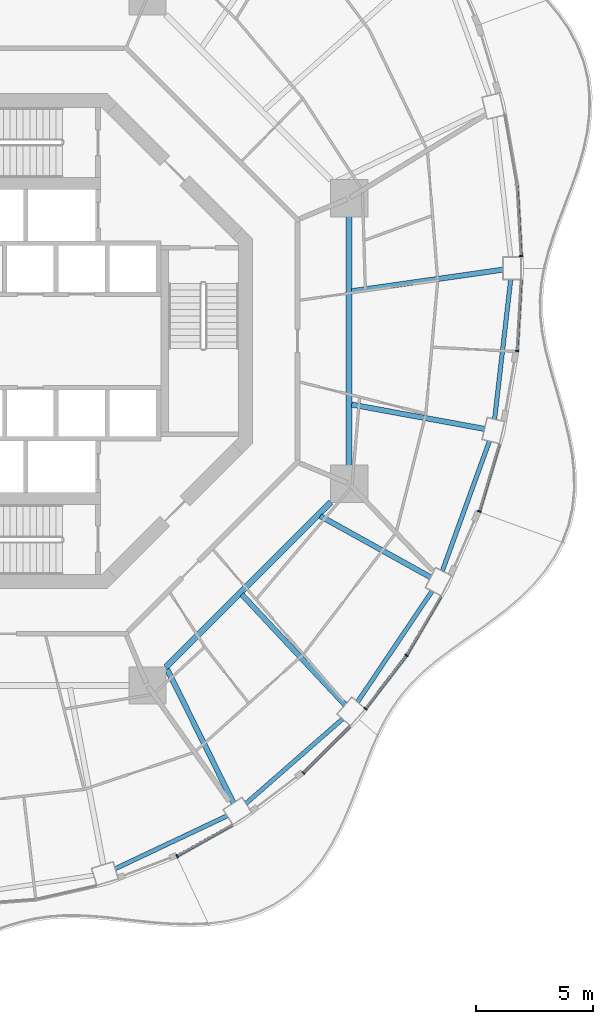
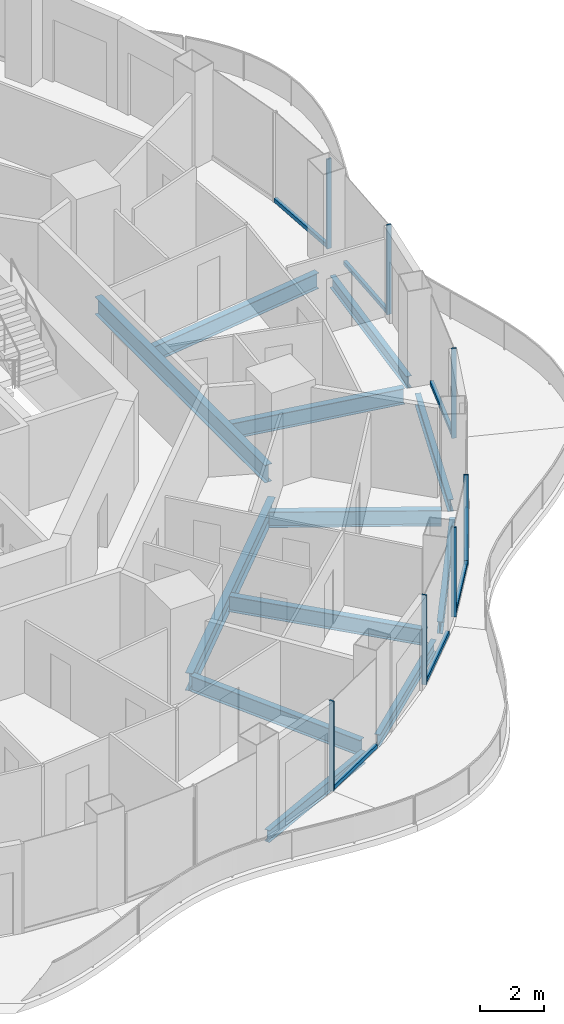
# One storey, part 4 of 18: 14 members, 12 beams, 7 elements without a shape of their own.
"""IFC4 building model written with IfcOpenShell, lengths in metres."""

import ifcopenshell
import ifcopenshell.guid

model = None  # the IFC model being written
_history = None  # IfcOwnerHistory: only IFC2X3 demands one
_inside = {}  # id of a spatial element -> (the spatial element, [elements in it])
_under = {}  # id of a project, library or spatial element -> (it, [spatial elements below it])
_declared = {}  # id of a project -> (the project, [libraries it declares])
_typed = {}  # id of a type object -> (the type object, [elements of that type])
_made_of = {}  # id of a material, layer set ... -> (it, [elements and type objects made of it])


def new_model(schema):
    """Start an empty IFC model of exactly this schema.

    Asked for "IFC4X3", IfcOpenShell would pick the latest addendum, in which some entities
    have other attributes; the version numbers below select the first issue.
    IFC2X3 requires an IfcOwnerHistory on every rooted entity: one is made here for all.
    """
    global model, _history
    if schema == "IFC4X3":
        model = ifcopenshell.file(schema_version=(4, 3, 0, 0))
    else:
        model = ifcopenshell.file(schema=schema)
    _inside.clear()
    _under.clear()
    _declared.clear()
    _typed.clear()
    _made_of.clear()
    _history = None
    if model.schema == "IFC2X3":
        org = make("IfcOrganization", Name="unknown")
        user = make(
            "IfcPersonAndOrganization",
            ThePerson=make("IfcPerson", FamilyName="unknown"),
            TheOrganization=org,
        )
        app = make(
            "IfcApplication",
            ApplicationDeveloper=org,
            Version="unknown",
            ApplicationFullName="unknown",
            ApplicationIdentifier="unknown",
        )
        _history = make(
            "IfcOwnerHistory",
            OwningUser=user,
            OwningApplication=app,
            ChangeAction="ADDED",
            CreationDate=0,
        )
    return model


def make(cls, **values):
    """One entity of the class cls with the attributes given. An attribute that is None is left unset."""
    return model.create_entity(
        cls, **{name: value for name, value in values.items() if value is not None}
    )


def rooted(cls, **values):
    """An entity with a GlobalId (a new one), such as an element, a storey or a relation."""
    return make(cls, GlobalId=ifcopenshell.guid.new(), OwnerHistory=_history, **values)


def si_unit(unit_type, name, prefix=None):
    """IfcSIUnit, for example si_unit("LENGTHUNIT", "METRE", prefix="MILLI")."""
    return make("IfcSIUnit", UnitType=unit_type, Prefix=prefix, Name=name)


def assignment(units):
    """IfcUnitAssignment: the units of a project."""
    return None if units is None else make("IfcUnitAssignment", Units=units)


def point(xyz):
    """IfcCartesianPoint."""
    return None if xyz is None else make("IfcCartesianPoint", Coordinates=xyz)


def direction(xyz):
    """IfcDirection."""
    return None if xyz is None else make("IfcDirection", DirectionRatios=xyz)


def frame(location, z_axis=None, x_axis=None):
    """IfcAxis2Placement3D, a coordinate frame: its origin and axes. An axis left out is left unset."""
    return make(
        "IfcAxis2Placement3D",
        Location=point(location),
        Axis=direction(z_axis),
        RefDirection=direction(x_axis),
    )


def frame_2d(location, x_axis=None):
    """IfcAxis2Placement2D, a coordinate frame in the plane: its origin and x axis."""
    return make(
        "IfcAxis2Placement2D", Location=point(location), RefDirection=direction(x_axis)
    )


def origin():
    """The frame at (0, 0, 0) with its axes left unset."""
    return frame((0.0, 0.0, 0.0))


def origin_2d():
    """The frame at (0, 0) in the plane with its x axis left unset."""
    return frame_2d((0.0, 0.0))


def place(relative_to, where):
    """IfcLocalPlacement: puts the frame where relative to a parent placement (None: the world)."""
    return make(
        "IfcLocalPlacement", PlacementRelTo=relative_to, RelativePlacement=where
    )


def context(
    kind, dimensions, precision=None, world=None, true_north=None, identifier=None
):
    """IfcGeometricRepresentationContext, for example the 3D "Model" context."""
    return make(
        "IfcGeometricRepresentationContext",
        ContextIdentifier=identifier,
        ContextType=kind,
        CoordinateSpaceDimension=dimensions,
        Precision=precision,
        WorldCoordinateSystem=world,
        TrueNorth=true_north,
    )


def subcontext(parent, identifier, kind, view, scale=None):
    """IfcGeometricRepresentationSubContext, for example "Body" below "Model"."""
    return make(
        "IfcGeometricRepresentationSubContext",
        ContextIdentifier=identifier,
        ContextType=kind,
        ParentContext=parent,
        TargetScale=scale,
        TargetView=view,
    )


def project(units=None, contexts=None):
    """IfcProject with its units and contexts."""
    return rooted(
        "IfcProject",
        Name="project",
        RepresentationContexts=contexts,
        UnitsInContext=assignment(units),
    )


def spatial(cls, under=None, at=None, **own):
    """A site, building, storey or space (cls), placed at a placement, below another one or the project."""
    s = rooted(cls, ObjectPlacement=at, **own)
    if under is not None:
        _under.setdefault(under.id(), (under, []))[1].append(s)
    return s


def profile(cls, at=None, kind="AREA", **sizes):
    """A parametric profile (cls). Its sizes go by their IFC names, for example OverallWidth=200.0."""
    return make(cls, ProfileType=kind, Position=at, **sizes)


def rectangle(**sizes):
    """IfcRectangleProfileDef."""
    return profile("IfcRectangleProfileDef", **sizes)


def i_section(**sizes):
    """IfcIShapeProfileDef."""
    return profile("IfcIShapeProfileDef", **sizes)


def extrude(swept, where, along, depth):
    """IfcExtrudedAreaSolid: the profile swept, set in the frame where, extruded along a direction by depth."""
    return make(
        "IfcExtrudedAreaSolid",
        SweptArea=swept,
        Position=where,
        ExtrudedDirection=direction(along),
        Depth=depth,
    )


def shape(context_of_items, identifier, shape_type, items):
    """IfcShapeRepresentation: the items that make up one representation, for example the "Body"."""
    return make(
        "IfcShapeRepresentation",
        ContextOfItems=context_of_items,
        RepresentationIdentifier=identifier,
        RepresentationType=shape_type,
        Items=items,
    )


def material(Name=None, Category=None):
    """IfcMaterial."""
    return make("IfcMaterial", Name=Name, Category=Category)


def layer(
    of_material, thickness, ventilated=None, Name=None, Category=None, Priority=None
):
    """IfcMaterialLayer: one layer of a wall or slab, of a material (None: an air gap)."""
    return make(
        "IfcMaterialLayer",
        Material=of_material,
        LayerThickness=thickness,
        IsVentilated=ventilated,
        Name=Name,
        Category=Category,
        Priority=Priority,
    )


def layer_set(layers, Name=None):
    """IfcMaterialLayerSet."""
    return make("IfcMaterialLayerSet", MaterialLayers=layers, LayerSetName=Name)


def material_profile(
    of_material, cross_section, Name=None, Category=None, Priority=None
):
    """IfcMaterialProfile: a cross section and its material."""
    return make(
        "IfcMaterialProfile",
        Name=Name,
        Material=of_material,
        Profile=cross_section,
        Priority=Priority,
        Category=Category,
    )


def profile_set(profiles, Name=None, composite=None):
    """IfcMaterialProfileSet."""
    return make(
        "IfcMaterialProfileSet",
        Name=Name,
        MaterialProfiles=profiles,
        CompositeProfile=composite,
    )


def made_of(thing, what):
    """Note that an element or type object is made of a material, layer set ...; save() writes the relation."""
    if what is not None:
        _made_of.setdefault(what.id(), (what, []))[1].append(thing)
    return thing


def type_object(cls, material=None, **own):
    """A type object (cls), such as IfcWallType, which elements share."""
    return made_of(rooted(cls, **own), material)


def element(
    cls,
    number,
    at=None,
    inside=None,
    cuts=None,
    type_object=None,
    material=None,
    context=None,
    identifier="Body",
    shape_type=None,
    held_by="IfcProductDefinitionShape",
    body=None,
    shapes=None,
    **own,
):
    """One element of the class cls, such as IfcWall. Its Tag is "e" and its number.

    at: its placement. inside: the storey or other place that contains it. cuts: it is an
    opening in that element (IfcRelVoidsElement). A single representation is given by context,
    identifier, shape_type and body (its items); several are given by shapes. held_by: the class
    of the entity that holds the representations. save() writes the other relations.
    """
    e = rooted(cls, Tag="e%d" % number, ObjectPlacement=at, **own)
    if body is not None:
        shapes = [shape(context, identifier, shape_type, body)]
    if shapes is not None:
        e.Representation = make(held_by, Representations=shapes)
    if inside is not None:
        _inside.setdefault(inside.id(), (inside, []))[1].append(e)
    if cuts is not None:
        rooted(
            "IfcRelVoidsElement", RelatingBuildingElement=cuts, RelatedOpeningElement=e
        )
    if type_object is not None:
        _typed.setdefault(type_object.id(), (type_object, []))[1].append(e)
    return made_of(e, material)


def aggregate(whole, parts):
    """IfcRelAggregates: a whole, such as a stair, and the parts it consists of."""
    return rooted("IfcRelAggregates", RelatingObject=whole, RelatedObjects=parts)


def save(model, path):
    """Write the relations noted so far, then the file.

    IfcRelAggregates (storeys below a building ...), IfcRelContainedInSpatialStructure (elements
    in a storey), IfcRelDefinesByType, IfcRelAssociatesMaterial and IfcRelDeclares: one each for
    every whole, place, type object, material and project.
    """
    for whole, parts in _under.values():
        aggregate(whole, parts)
    for where, things in _inside.values():
        rooted(
            "IfcRelContainedInSpatialStructure",
            RelatedElements=things,
            RelatingStructure=where,
        )
    for kind, things in _typed.values():
        rooted("IfcRelDefinesByType", RelatedObjects=things, RelatingType=kind)
    for what, things in _made_of.values():
        rooted("IfcRelAssociatesMaterial", RelatedObjects=things, RelatingMaterial=what)
    for by, libraries in _declared.values():
        rooted("IfcRelDeclares", RelatingContext=by, RelatedDefinitions=libraries)
    model.write(path)


model = new_model("IFC4")

# Units and contexts
model_context = context("Model", 3, precision=1e-05, world=origin(), true_north=direction((0.0, 1.0)))
body_context = subcontext(model_context, "Body", "Model", "MODEL_VIEW")
ifc_project = project(units=[si_unit("LENGTHUNIT", "METRE"), si_unit("AREAUNIT", "SQUARE_METRE"), si_unit("VOLUMEUNIT", "CUBIC_METRE"), si_unit("PLANEANGLEUNIT", "RADIAN"), si_unit("MASSUNIT", "GRAM", prefix="KILO")], contexts=[model_context])

# Site, building, storey
site_placement = place(None, origin())
site = spatial("IfcSite", under=ifc_project, at=site_placement, CompositionType="ELEMENT")
building_placement = place(site_placement, origin())
building = spatial("IfcBuilding", under=site, at=building_placement, Name="Nagisa Residences", CompositionType="ELEMENT")
storey_placement = place(building_placement, frame((0.0, 0.0, 230.699951171875)))
storey = spatial("IfcBuildingStorey", under=building, at=storey_placement, Name="L58", CompositionType="ELEMENT", Elevation=230.699951171875)

# Curtain wall, member
ifc_material_1 = material(Name="Concrete-coloured aluminium curtain wall system", Category="concrete")
ifc_layer = layer(ifc_material_1, 0.159912109375)
ifc_layer_set = layer_set([ifc_layer], Name="CW1 CURTAIN WALL")
curtain_wall_type = type_object("IfcCurtainWallType", Name="CW1 CURTAIN WALL", PredefinedType="NOTDEFINED", material=ifc_layer_set)
curtain_wall_1_placement = place(storey_placement, origin())
curtain_wall_1 = element("IfcCurtainWall", 1, at=curtain_wall_1_placement, inside=storey, type_object=curtain_wall_type, Name="cw:CW1:L58:00", PredefinedType="NOTDEFINED")
ifc_material_2 = material(Name="Concrete-coloured aluminium", Category="concrete")
ifc_material_profile_1 = material_profile(ifc_material_2, rectangle(XDim=0.159912109375, YDim=0.06005859375, at=origin_2d()), Name="CW1 MULLION 160x60")
ifc_profile_set_1 = profile_set([ifc_material_profile_1], Name="Concrete-coloured aluminium")
member_type_1 = type_object("IfcMemberType", Name="CW1 MULLION 160x60", PredefinedType="MULLION", material=ifc_profile_set_1)
member_1_placement = place(storey_placement, frame((22.15966796875, 3.642333984375, 0.0), z_axis=(0.0, 0.0, 1.0), x_axis=(-0.998345305184, -0.057503492216, 0.0)))
member_1 = element("IfcMember", 2, at=member_1_placement, type_object=member_type_1, Name="CW1 mullion", PredefinedType="MULLION", context=body_context, shape_type="SweptSolid", body=[
    extrude(rectangle(XDim=0.159912109375, YDim=0.06005859375, at=origin_2d()), origin(), (0.0, 0.0, 1.0), 3.43994140625),
])

curtain_wall_2_placement = place(storey_placement, origin())
curtain_wall_2 = element("IfcCurtainWall", 3, at=curtain_wall_2_placement, inside=storey, type_object=curtain_wall_type, Name="cw:CW1:L58:39", PredefinedType="NOTDEFINED")
member_2_placement = place(storey_placement, frame((7.398193359375, -22.10302734375, 0.0), z_axis=(0.0, 0.0, 1.0), x_axis=(-0.489376918501, 0.872072377523, 0.0)))
member_2 = element("IfcMember", 4, at=member_2_placement, type_object=member_type_1, Name="CW1 mullion", PredefinedType="MULLION", context=body_context, shape_type="SweptSolid", body=[
    extrude(rectangle(XDim=0.159912109375, YDim=0.06005859375, at=origin_2d()), origin(), (0.0, 0.0, 1.0), 3.43994140625),
])

curtain_wall_3_placement = place(storey_placement, origin())
curtain_wall_3 = element("IfcCurtainWall", 5, at=curtain_wall_3_placement, inside=storey, type_object=curtain_wall_type, Name="cw:CW1:L58:41", PredefinedType="NOTDEFINED")
member_3_placement = place(storey_placement, frame((12.817626953125, -18.534423828125, 0.0), z_axis=(0.0, 0.0, 1.0), x_axis=(-0.706376885714, 0.707835924016, 0.0)))
member_3 = element("IfcMember", 6, at=member_3_placement, type_object=member_type_1, Name="CW1 mullion", PredefinedType="MULLION", context=body_context, shape_type="SweptSolid", body=[
    extrude(rectangle(XDim=0.159912109375, YDim=0.06005859375, at=origin_2d()), origin(), (0.0, 0.0, 1.0), 3.43994140625),
])

curtain_wall_4_placement = place(storey_placement, origin())
curtain_wall_4 = element("IfcCurtainWall", 7, at=curtain_wall_4_placement, inside=storey, type_object=curtain_wall_type, Name="cw:CW1:L58:42", PredefinedType="NOTDEFINED")
member_4_placement = place(storey_placement, frame((15.480224609375, -15.78125, 0.0), z_axis=(0.0, 0.0, 1.0), x_axis=(-0.792070340816, 0.610429828235, 0.0)))
member_4 = element("IfcMember", 8, at=member_4_placement, type_object=member_type_1, Name="CW1 mullion", PredefinedType="MULLION", context=body_context, shape_type="SweptSolid", body=[
    extrude(rectangle(XDim=0.159912109375, YDim=0.06005859375, at=origin_2d()), origin(), (0.0, 0.0, 1.0), 3.43994140625),
])

curtain_wall_5_placement = place(storey_placement, origin())
curtain_wall_5 = element("IfcCurtainWall", 9, at=curtain_wall_5_placement, inside=storey, type_object=curtain_wall_type, Name="cw:CW1:L58:43", PredefinedType="NOTDEFINED")
member_5_placement = place(storey_placement, frame((17.2421875, -13.489990234375, 0.0), z_axis=(0.0, 0.0, 1.0), x_axis=(-0.862328898214, 0.506348567002, 0.0)))
member_5 = element("IfcMember", 10, at=member_5_placement, type_object=member_type_1, Name="CW1 mullion", PredefinedType="MULLION", context=body_context, shape_type="SweptSolid", body=[
    extrude(rectangle(XDim=0.159912109375, YDim=0.06005859375, at=origin_2d()), origin(), (0.0, 0.0, 1.0), 3.43994140625),
])

curtain_wall_6_placement = place(storey_placement, origin())
curtain_wall_6 = element("IfcCurtainWall", 11, at=curtain_wall_6_placement, inside=storey, type_object=curtain_wall_type, Name="cw:CW1:L58:45", PredefinedType="NOTDEFINED")
member_6_placement = place(storey_placement, frame((20.36962890625, -7.3125, 0.0), z_axis=(0.0, 0.0, 1.0), x_axis=(-0.958271310082, 0.285860274038, 0.0)))
member_6 = element("IfcMember", 12, at=member_6_placement, type_object=member_type_1, Name="CW1 mullion", PredefinedType="MULLION", context=body_context, shape_type="SweptSolid", body=[
    extrude(rectangle(XDim=0.159912109375, YDim=0.06005859375, at=origin_2d()), origin(), (0.0, 0.0, 1.0), 3.43994140625),
])

curtain_wall_7_placement = place(storey_placement, origin())
curtain_wall_7 = element("IfcCurtainWall", 13, at=curtain_wall_7_placement, inside=storey, type_object=curtain_wall_type, Name="cw:CW1:L58:47", PredefinedType="NOTDEFINED")
member_7_placement = place(storey_placement, frame((21.98583984375, -0.4228515625, 0.0), z_axis=(0.0, 0.0, 1.0), x_axis=(-0.998345305184, 0.057503492216, 0.0)))
member_7 = element("IfcMember", 14, at=member_7_placement, type_object=member_type_1, Name="CW1 mullion", PredefinedType="MULLION", context=body_context, shape_type="SweptSolid", body=[
    extrude(rectangle(XDim=0.159912109375, YDim=0.06005859375, at=origin_2d()), origin(), (0.0, 0.0, 1.0), 3.43994140625),
])

# Member
ifc_material_3 = material(Name="Concrete-coloured aluminium", Category="concrete")
ifc_material_profile_2 = material_profile(ifc_material_3, rectangle(XDim=0.1201171875, YDim=0.14990234375, at=origin_2d()), Name="CW1 TRANSOM 120x150")
ifc_profile_set_2 = profile_set([ifc_material_profile_2], Name="Concrete-coloured aluminium")
member_type_2 = type_object("IfcMemberType", Name="CW1 TRANSOM 120x150", PredefinedType="USERDEFINED", material=ifc_profile_set_2)
member_8_placement = place(storey_placement, frame((22.161376953125, 3.6123046875, 0.074951171875), z_axis=(-0.057528189427, 0.998343882348, 0.0), x_axis=(-0.998343882348, -0.057528189427, 0.0)))
member_8 = element("IfcMember", 15, at=member_8_placement, type_object=member_type_2, Name="CW1 transom", ObjectType="TRANSOM", PredefinedType="USERDEFINED", context=body_context, shape_type="SweptSolid", body=[
    extrude(rectangle(XDim=0.1201171875, YDim=0.14990234375, at=origin_2d()), origin(), (0.0, 0.0, 1.0), 3.0810546875),
])

aggregate(curtain_wall_1, [member_1, member_8])

member_9_placement = place(storey_placement, frame((7.3720703125, -22.11767578125, 0.074951171875), z_axis=(0.872041873719, 0.489431272479, 0.0), x_axis=(-0.489431272479, 0.872041873719, 0.0)))
member_9 = element("IfcMember", 16, at=member_9_placement, type_object=member_type_2, Name="CW1 transom", ObjectType="TRANSOM", PredefinedType="USERDEFINED", context=body_context, shape_type="SweptSolid", body=[
    extrude(rectangle(XDim=0.1201171875, YDim=0.14990234375, at=origin_2d()), origin(), (0.0, 0.0, 1.0), 2.738037109375),
])

aggregate(curtain_wall_2, [member_2, member_9])

member_10_placement = place(storey_placement, frame((12.79638671875, -18.5556640625, 0.074951171875), z_axis=(0.707836044127, 0.706376765356, 0.0), x_axis=(-0.706376765356, 0.707836044127, 0.0)))
member_10 = element("IfcMember", 17, at=member_10_placement, type_object=member_type_2, Name="CW1 transom", ObjectType="TRANSOM", PredefinedType="USERDEFINED", context=body_context, shape_type="SweptSolid", body=[
    extrude(rectangle(XDim=0.1201171875, YDim=0.14990234375, at=origin_2d()), origin(), (0.0, 0.0, 1.0), 2.84423828125),
])

aggregate(curtain_wall_3, [member_3, member_10])

member_11_placement = place(storey_placement, frame((15.4619140625, -15.80517578125, 0.074951171875), z_axis=(0.610438565676, 0.792063607001, 0.0), x_axis=(-0.792063607001, 0.610438565676, 0.0)))
member_11 = element("IfcMember", 18, at=member_11_placement, type_object=member_type_2, Name="CW1 transom", ObjectType="TRANSOM", PredefinedType="USERDEFINED", context=body_context, shape_type="SweptSolid", body=[
    extrude(rectangle(XDim=0.1201171875, YDim=0.14990234375, at=origin_2d()), origin(), (0.0, 0.0, 1.0), 2.90087890625),
])

aggregate(curtain_wall_4, [member_4, member_11])

member_12_placement = place(storey_placement, frame((17.22705078125, -13.515869140625, 0.074951171875), z_axis=(0.5063555387, 0.862324804484, 0.0), x_axis=(-0.862324804484, 0.5063555387, 0.0)))
member_12 = element("IfcMember", 19, at=member_12_placement, type_object=member_type_2, Name="CW1 transom", ObjectType="TRANSOM", PredefinedType="USERDEFINED", context=body_context, shape_type="SweptSolid", body=[
    extrude(rectangle(XDim=0.1201171875, YDim=0.14990234375, at=origin_2d()), origin(), (0.0, 0.0, 1.0), 2.95458984375),
])

aggregate(curtain_wall_5, [member_5, member_12])

member_13_placement = place(storey_placement, frame((20.361083984375, -7.341064453125, 0.074951171875), z_axis=(0.285881452443, 0.958264992134, 0.0), x_axis=(-0.958264992134, 0.285881452443, 0.0)))
member_13 = element("IfcMember", 20, at=member_13_placement, type_object=member_type_2, Name="CW1 transom", ObjectType="TRANSOM", PredefinedType="USERDEFINED", context=body_context, shape_type="SweptSolid", body=[
    extrude(rectangle(XDim=0.1201171875, YDim=0.14990234375, at=origin_2d()), origin(), (0.0, 0.0, 1.0), 3.040283203125),
])

aggregate(curtain_wall_6, [member_6, member_13])

member_14_placement = place(storey_placement, frame((21.984130859375, -0.452880859375, 0.074951171875), z_axis=(0.057528189427, 0.998343882348, 0.0), x_axis=(-0.998343882348, 0.057528189427, 0.0)))
member_14 = element("IfcMember", 21, at=member_14_placement, type_object=member_type_2, Name="CW1 transom", ObjectType="TRANSOM", PredefinedType="USERDEFINED", context=body_context, shape_type="SweptSolid", body=[
    extrude(rectangle(XDim=0.1201171875, YDim=0.14990234375, at=origin_2d()), origin(), (0.0, 0.0, 1.0), 3.0810546875),
])

aggregate(curtain_wall_7, [member_7, member_14])

# Beams
ifc_material_4 = material(Name="Steel ASTM A572 Gr 50", Category="steel")
ifc_material_profile_3 = material_profile(ifc_material_4, i_section(OverallWidth=0.2529296875, OverallDepth=0.677978515625, WebThickness=0.01171875, FlangeThickness=0.016357421875, at=origin_2d()), Name="W690x125")
ifc_profile_set_3 = profile_set([ifc_material_profile_3], Name="Steel ASTM A572 Gr 50")
beam_type_1 = type_object("IfcBeamType", Name="Inner ring beam W690x125", PredefinedType="BEAM", material=ifc_profile_set_3)
beam_1_placement = place(storey_placement, frame((6.90869140625, -13.99609375, -0.598876953125), z_axis=(0.707106781187, 0.707106781187, 0.0), x_axis=(-0.707106781187, 0.707106781187, 0.0)))
element("IfcBeam", 22, at=beam_1_placement, inside=storey, type_object=beam_type_1, Name="beam:L58:ib7", PredefinedType="BEAM", context=body_context, shape_type="SweptSolid", body=[
    extrude(i_section(OverallWidth=0.2529296875, OverallDepth=0.677978515625, WebThickness=0.01171875, FlangeThickness=0.016357421875, at=origin_2d()), origin(), (0.0, 0.0, 1.0), 10.023193359375),
])
beam_2_placement = place(storey_placement, frame((14.781982421875, -5.343017578125, -0.598876953125), z_axis=(0.0, 1.0, 0.0), x_axis=(-1.0, 0.0, 0.0)))
element("IfcBeam", 23, at=beam_2_placement, inside=storey, type_object=beam_type_1, Name="beam:L58:ib8", PredefinedType="BEAM", context=body_context, shape_type="SweptSolid", body=[
    extrude(i_section(OverallWidth=0.2529296875, OverallDepth=0.677978515625, WebThickness=0.01171875, FlangeThickness=0.016357421875, at=origin_2d()), origin(), (0.0, 0.0, 1.0), 10.68603515625),
])
ifc_material_5 = material(Name="Steel ASTM A572 Gr 50", Category="steel")
ifc_material_profile_4 = material_profile(ifc_material_5, i_section(OverallWidth=0.18994140625, OverallDepth=0.45703125, WebThickness=0.009033203125, FlangeThickness=0.014404296875, at=origin_2d()), Name="W460x74")
ifc_profile_set_4 = profile_set([ifc_material_profile_4], Name="Steel ASTM A572 Gr 50")
beam_type_2 = type_object("IfcBeamType", Name="Perimeter ring beam W460x74", PredefinedType="BEAM", material=ifc_profile_set_4)
beam_3_placement = place(storey_placement, frame((4.7392578125, -22.648681640625, -0.488525390625), z_axis=(0.904133867308, 0.42724928319, 0.0), x_axis=(-0.42724928319, 0.904133867308, 0.0)))
element("IfcBeam", 24, at=beam_3_placement, inside=storey, type_object=beam_type_2, Name="beam:L58:pb20", PredefinedType="BEAM", context=body_context, shape_type="SweptSolid", body=[
    extrude(i_section(OverallWidth=0.18994140625, OverallDepth=0.45703125, WebThickness=0.009033203125, FlangeThickness=0.014404296875, at=origin_2d()), origin(), (0.0, 0.0, 1.0), 5.317138671875),
])
beam_4_placement = place(storey_placement, frame((10.349853515625, -19.850341796875, -0.488525390625), z_axis=(0.75242320672, 0.65867998147, 0.0), x_axis=(-0.65867998147, 0.75242320672, 0.0)))
element("IfcBeam", 25, at=beam_4_placement, inside=storey, type_object=beam_type_2, Name="beam:L58:pb21", PredefinedType="BEAM", context=body_context, shape_type="SweptSolid", body=[
    extrude(i_section(OverallWidth=0.18994140625, OverallDepth=0.45703125, WebThickness=0.009033203125, FlangeThickness=0.014404296875, at=origin_2d()), origin(), (0.0, 0.0, 1.0), 5.5185546875),
])
beam_5_placement = place(storey_placement, frame((15.13671875, -15.49462890625, -0.488525390625), z_axis=(0.558109119402, 0.829767564345, 0.0), x_axis=(-0.829767564345, 0.558109119402, 0.0)))
element("IfcBeam", 26, at=beam_5_placement, inside=storey, type_object=beam_type_2, Name="beam:L58:pb22", PredefinedType="BEAM", context=body_context, shape_type="SweptSolid", body=[
    extrude(i_section(OverallWidth=0.18994140625, OverallDepth=0.45703125, WebThickness=0.009033203125, FlangeThickness=0.014404296875, at=origin_2d()), origin(), (0.0, 0.0, 1.0), 5.74365234375),
])
beam_6_placement = place(storey_placement, frame((18.77734375, -9.87255859375, -0.488525390625), z_axis=(0.341290329164, 0.939957930558, 0.0), x_axis=(-0.939957930558, 0.341290329164, 0.0)))
element("IfcBeam", 27, at=beam_6_placement, inside=storey, type_object=beam_type_2, Name="beam:L58:pb23", PredefinedType="BEAM", context=body_context, shape_type="SweptSolid", body=[
    extrude(i_section(OverallWidth=0.18994140625, OverallDepth=0.45703125, WebThickness=0.009033203125, FlangeThickness=0.014404296875, at=origin_2d()), origin(), (0.0, 0.0, 1.0), 5.932373046875),
])
beam_7_placement = place(storey_placement, frame((21.022216796875, -3.36181640625, -0.488525390625), z_axis=(0.114650193512, 0.993405925656, 0.0), x_axis=(-0.993405925656, 0.114650193512, 0.0)))
element("IfcBeam", 28, at=beam_7_placement, inside=storey, type_object=beam_type_2, Name="beam:L58:pb24", PredefinedType="BEAM", context=body_context, shape_type="SweptSolid", body=[
    extrude(i_section(OverallWidth=0.18994140625, OverallDepth=0.45703125, WebThickness=0.009033203125, FlangeThickness=0.014404296875, at=origin_2d()), origin(), (0.0, 0.0, 1.0), 6.0390625),
])
ifc_material_6 = material(Name="Steel ASTM A572 Gr 50", Category="steel")
ifc_material_profile_5 = material_profile(ifc_material_6, i_section(OverallWidth=0.22802734375, OverallDepth=0.60302734375, WebThickness=0.010498046875, FlangeThickness=0.014892578125, at=origin_2d()), Name="W610x101")
ifc_profile_set_5 = profile_set([ifc_material_profile_5], Name="Steel ASTM A572 Gr 50")
beam_type_3 = type_object("IfcBeamType", Name="Radial beam W610x101", PredefinedType="BEAM", material=ifc_profile_set_5)
beam_8_placement = place(storey_placement, frame((21.389892578125, 3.063232421875, -0.5615234375), z_axis=(-0.989903345459, -0.141744018034, 0.0), x_axis=(0.141744018034, -0.989903345459, 0.0)))
element("IfcBeam", 29, at=beam_8_placement, inside=storey, type_object=beam_type_3, Name="beam:L58:rb01", PredefinedType="BEAM", context=body_context, shape_type="SweptSolid", body=[
    extrude(i_section(OverallWidth=0.22802734375, OverallDepth=0.60302734375, WebThickness=0.010498046875, FlangeThickness=0.014892578125, at=origin_2d()), origin(), (0.0, 0.0, 1.0), 6.567626953125),
])
beam_9_placement = place(storey_placement, frame((9.815185546875, -19.826416015625, -0.5615234375), z_axis=(-0.443658666969, 0.896195842003, 0.0), x_axis=(-0.896195842003, -0.443658666969, 0.0)))
element("IfcBeam", 30, at=beam_9_placement, inside=storey, type_object=beam_type_3, Name="beam:L58:rb21", PredefinedType="BEAM", context=body_context, shape_type="SweptSolid", body=[
    extrude(i_section(OverallWidth=0.22802734375, OverallDepth=0.60302734375, WebThickness=0.010498046875, FlangeThickness=0.014892578125, at=origin_2d()), origin(), (0.0, 0.0, 1.0), 6.406982421875),
])
beam_10_placement = place(storey_placement, frame((14.605712890625, -15.617431640625, -0.5615234375), z_axis=(-0.683072943543, 0.730350158349, 0.0), x_axis=(-0.730350158349, -0.683072943543, 0.0)))
element("IfcBeam", 31, at=beam_10_placement, inside=storey, type_object=beam_type_3, Name="beam:L58:rb22", PredefinedType="BEAM", context=body_context, shape_type="SweptSolid", body=[
    extrude(i_section(OverallWidth=0.22802734375, OverallDepth=0.60302734375, WebThickness=0.010498046875, FlangeThickness=0.014892578125, at=origin_2d()), origin(), (0.0, 0.0, 1.0), 6.486083984375),
])
beam_11_placement = place(storey_placement, frame((18.27978515625, -10.142822265625, -0.5615234375), z_axis=(-0.874405859214, 0.485195211614, 0.0), x_axis=(-0.485195211614, -0.874405859214, 0.0)))
element("IfcBeam", 32, at=beam_11_placement, inside=storey, type_object=beam_type_3, Name="beam:L58:rb23", PredefinedType="BEAM", context=body_context, shape_type="SweptSolid", body=[
    extrude(i_section(OverallWidth=0.22802734375, OverallDepth=0.60302734375, WebThickness=0.010498046875, FlangeThickness=0.014892578125, at=origin_2d()), origin(), (0.0, 0.0, 1.0), 5.417724609375),
])
beam_12_placement = place(storey_placement, frame((20.592529296875, -3.7734375, -0.5615234375), z_axis=(-0.983621738755, 0.180245041675, 0.0), x_axis=(-0.180245041675, -0.983621738755, 0.0)))
element("IfcBeam", 33, at=beam_12_placement, inside=storey, type_object=beam_type_3, Name="beam:L58:rb24", PredefinedType="BEAM", context=body_context, shape_type="SweptSolid", body=[
    extrude(i_section(OverallWidth=0.22802734375, OverallDepth=0.60302734375, WebThickness=0.010498046875, FlangeThickness=0.014892578125, at=origin_2d()), origin(), (0.0, 0.0, 1.0), 5.798583984375),
])

save(model, "model.ifc")
